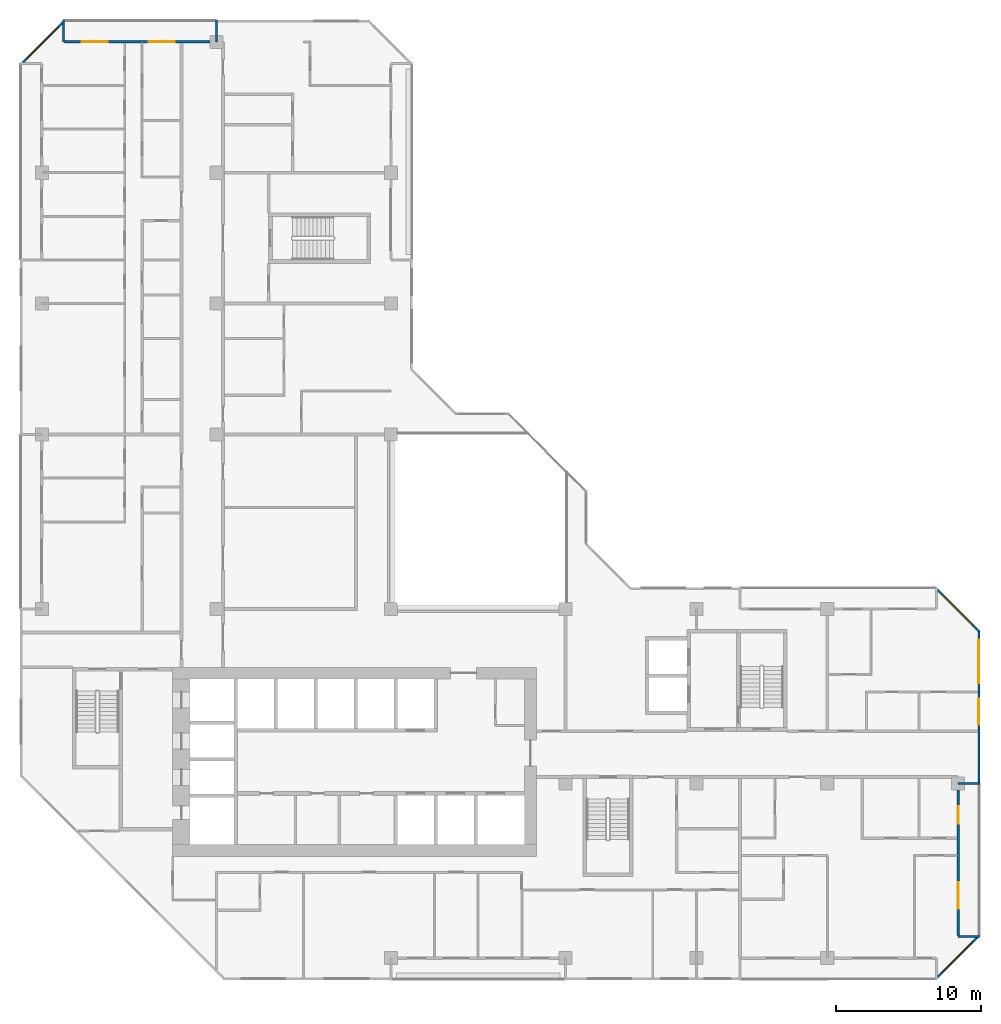
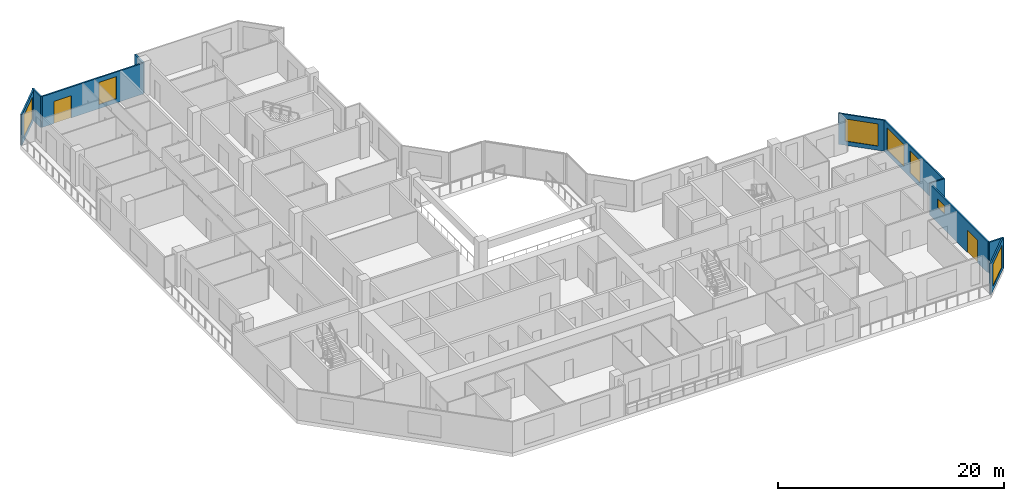
# One storey, part 12 of 15: 10 walls, 7 windows, 2 doors, 9 openings.
"""IFC4 building model written with IfcOpenShell, lengths in metres."""

from ifc_helpers import new_model, si_unit, direction, frame, frame_2d, origin, place, context, subcontext, project, spatial, rectangle, extrude, material, layer, layer_set, type_object, element, fill, save


model = new_model("IFC4")

# Units and contexts
model_context = context("Model", 3, precision=1e-05, world=origin(), true_north=direction((0.0, 1.0)))
body_context = subcontext(model_context, "Body", "Model", "MODEL_VIEW")
ifc_project = project(units=[si_unit("LENGTHUNIT", "METRE"), si_unit("AREAUNIT", "SQUARE_METRE"), si_unit("VOLUMEUNIT", "CUBIC_METRE"), si_unit("PLANEANGLEUNIT", "RADIAN"), si_unit("MASSUNIT", "GRAM", prefix="KILO")], contexts=[model_context])

# Site, building, storey
site_placement = place(None, origin())
site = spatial("IfcSite", under=ifc_project, at=site_placement, CompositionType="ELEMENT")
building_placement = place(site_placement, origin())
building = spatial("IfcBuilding", under=site, at=building_placement, Name="Chenar Terraces", CompositionType="ELEMENT")
storey_placement = place(building_placement, frame((0.0, 0.0, 191.14990234375)))
storey = spatial("IfcBuildingStorey", under=building, at=storey_placement, Name="L44", CompositionType="ELEMENT", Elevation=191.14990234375)

# Wall, openings, windows
ifc_material_1 = material(Name="Aluminium framed glazing", Category="aluminium")
ifc_layer_1 = layer(ifc_material_1, 0.14990234375)
ifc_layer_set_1 = layer_set([ifc_layer_1], Name="Aluminium framed glazing")
wall_type_1 = type_object("IfcWallType", Name="Glazed flush facade wall 150", PredefinedType="SOLIDWALL", material=ifc_layer_set_1)
wall_1_placement = place(storey_placement, frame((64.425048828125, 12.074951171875, 0.0), z_axis=(0.0, 0.0, 1.0), x_axis=(0.0, 1.0, 0.0)))
wall_1 = element("IfcWall", 1, at=wall_1_placement, inside=storey, type_object=wall_type_1, Name="Glazed flush facade wall", PredefinedType="SOLIDWALL", context=body_context, shape_type="SweptSolid", body=[
    extrude(rectangle(XDim=10.425048828125, YDim=0.14990234375, at=frame_2d((5.21240234375, 0.0))), origin(), (0.0, 0.0, 1.0), 3.35009765625),
])
opening_1_placement = place(wall_1_placement, frame((3.97509765625, 0.0, 0.449951171875)))
opening_1 = element("IfcOpeningElement", 2, at=opening_1_placement, cuts=wall_1, Name="Opening W180x240", PredefinedType="OPENING", context=body_context, shape_type="SweptSolid", body=[
    extrude(rectangle(XDim=1.800048828125, YDim=2.39990234375, at=frame_2d((0.89990234375, 1.199951171875))), frame((0.0, 0.0849609375, 0.0), z_axis=(0.0, -1.0, 0.0), x_axis=(1.0, 0.0, 0.0)), (0.0, 0.0, 1.0), 0.169921875),
])
opening_2_placement = place(wall_1_placement, frame((6.824951171875, 0.0, 0.449951171875)))
opening_2 = element("IfcOpeningElement", 3, at=opening_2_placement, cuts=wall_1, Name="Opening W300x240", PredefinedType="OPENING", context=body_context, shape_type="SweptSolid", body=[
    extrude(rectangle(XDim=3.0, YDim=2.39990234375, at=frame_2d((1.5, 1.199951171875))), frame((0.0, 0.0849609375, 0.0), z_axis=(0.0, -1.0, 0.0), x_axis=(1.0, 0.0, 0.0)), (0.0, 0.0, 1.0), 0.169921875),
])
ifc_material_2 = material(Name="Low emissivity double glazing, aluminium frame", Category="aluminium")
window_type_1 = type_object("IfcWindowType", Name="Fixed light 1800 x 2400", PartitioningType="SINGLE_PANEL", PredefinedType="WINDOW", material=ifc_material_2)
window_1_placement = place(opening_1_placement, origin())
window_1 = element("IfcWindow", 4, at=window_1_placement, inside=storey, type_object=window_type_1, Name="Window", OverallHeight=2.39990234375, OverallWidth=1.800048828125, PartitioningType="SINGLE_PANEL", PredefinedType="WINDOW", context=body_context, shape_type="SweptSolid", body=[
    extrude(rectangle(XDim=1.800048828125, YDim=2.39990234375, at=frame_2d((0.89990234375, 1.199951171875))), frame((0.0, 0.030029296875, 0.0), z_axis=(0.0, -1.0, 0.0), x_axis=(1.0, 0.0, 0.0)), (0.0, 0.0, 1.0), 0.06005859375),
])
fill(opening_1, window_1)
ifc_material_3 = material(Name="Low emissivity double glazing, aluminium frame", Category="aluminium")
window_type_2 = type_object("IfcWindowType", Name="Fixed light 3000 x 2400", PartitioningType="SINGLE_PANEL", PredefinedType="WINDOW", material=ifc_material_3)
window_2_placement = place(opening_2_placement, origin())
window_2 = element("IfcWindow", 5, at=window_2_placement, inside=storey, type_object=window_type_2, Name="Window", OverallHeight=2.39990234375, OverallWidth=3.0, PartitioningType="SINGLE_PANEL", PredefinedType="WINDOW", context=body_context, shape_type="SweptSolid", body=[
    extrude(rectangle(XDim=3.0, YDim=2.39990234375, at=frame_2d((1.5, 1.199951171875))), frame((0.0, 0.030029296875, 0.0), z_axis=(0.0, -1.0, 0.0), x_axis=(1.0, 0.0, 0.0)), (0.0, 0.0, 1.0), 0.06005859375),
])
fill(opening_2, window_2)

# Wall, openings, window, door
ifc_material_4 = material(Name="Aluminium framed glazing", Category="aluminium")
ifc_layer_2 = layer(ifc_material_4, 0.14990234375)
ifc_layer_set_2 = layer_set([ifc_layer_2], Name="Aluminium framed glazing")
wall_type_2 = type_object("IfcWallType", Name="Glazed loggia back wall 150", PredefinedType="SOLIDWALL", material=ifc_layer_set_2)
wall_2_placement = place(storey_placement, frame((11.925048828125, 63.0, 0.0), z_axis=(0.0, 0.0, 1.0), x_axis=(-1.0, 0.0, 0.0)))
wall_2 = element("IfcWall", 6, at=wall_2_placement, inside=storey, type_object=wall_type_2, Name="Glazed loggia back wall", PredefinedType="SOLIDWALL", context=body_context, shape_type="SweptSolid", body=[
    extrude(rectangle(XDim=10.35009765625, YDim=0.14990234375, at=frame_2d((5.175048828125, 0.0))), origin(), (0.0, 0.0, 1.0), 3.35009765625),
])
opening_3_placement = place(wall_2_placement, frame((2.77490234375, 0.0, 0.449951171875)))
opening_3 = element("IfcOpeningElement", 7, at=opening_3_placement, cuts=wall_2, Name="Opening W180x240", PredefinedType="OPENING", context=body_context, shape_type="SweptSolid", body=[
    extrude(rectangle(XDim=1.800048828125, YDim=2.39990234375, at=frame_2d((0.89990234375, 1.199951171875))), frame((0.0, 0.0849609375, 0.0), z_axis=(0.0, -1.0, 0.0), x_axis=(1.0, 0.0, 0.0)), (0.0, 0.0, 1.0), 0.169921875),
])
opening_4_placement = place(wall_2_placement, frame((7.387451171875, 0.0, 0.0)))
opening_4 = element("IfcOpeningElement", 8, at=opening_4_placement, cuts=wall_2, Name="Opening DL44-G3", PredefinedType="OPENING", context=body_context, shape_type="SweptSolid", body=[
    extrude(rectangle(XDim=1.800048828125, YDim=2.39990234375, at=frame_2d((0.89990234375, 1.199951171875))), frame((0.0, 0.0849609375, 0.0), z_axis=(0.0, -1.0, 0.0), x_axis=(1.0, 0.0, 0.0)), (0.0, 0.0, 1.0), 0.169921875),
])
window_3_placement = place(opening_3_placement, origin())
window_3 = element("IfcWindow", 9, at=window_3_placement, inside=storey, type_object=window_type_1, Name="Window", OverallHeight=2.39990234375, OverallWidth=1.800048828125, PartitioningType="SINGLE_PANEL", PredefinedType="WINDOW", context=body_context, shape_type="SweptSolid", body=[
    extrude(rectangle(XDim=1.800048828125, YDim=2.39990234375, at=frame_2d((0.89990234375, 1.199951171875))), frame((0.0, 0.030029296875, 0.0), z_axis=(0.0, -1.0, 0.0), x_axis=(1.0, 0.0, 0.0)), (0.0, 0.0, 1.0), 0.06005859375),
])
fill(opening_3, window_3)
ifc_material_5 = material(Name="Low emissivity double glazing, aluminium frame", Category="aluminium")
door_type = type_object("IfcDoorType", Name="Loggia glazed double door 1800 x 2400", OperationType="DOUBLE_DOOR_SINGLE_SWING", PredefinedType="DOOR", material=ifc_material_5)
door_1_placement = place(opening_4_placement, frame((1.800048828125, 0.0, 0.0), z_axis=(0.0, 0.0, 1.0), x_axis=(-1.0, 0.0, 0.0)))
door_1 = element("IfcDoor", 10, at=door_1_placement, inside=storey, type_object=door_type, Name="Loggia glazed door", OperationType="DOUBLE_DOOR_SINGLE_SWING", OverallHeight=2.39990234375, OverallWidth=1.800048828125, PredefinedType="DOOR", context=body_context, shape_type="SweptSolid", body=[
    extrude(rectangle(XDim=1.800048828125, YDim=2.39990234375, at=frame_2d((0.89990234375, 1.199951171875))), frame((0.0, 0.02490234375, 0.0), z_axis=(0.0, -1.0, 0.0), x_axis=(1.0, 0.0, 0.0)), (0.0, 0.0, 1.0), 0.050048828125),
])
fill(opening_4, door_1)

wall_3_placement = place(storey_placement, frame((63.0, 1.574951171875, 0.0), z_axis=(0.0, 0.0, 1.0), x_axis=(0.0, 1.0, 0.0)))
wall_3 = element("IfcWall", 11, at=wall_3_placement, inside=storey, type_object=wall_type_2, Name="Glazed loggia back wall", PredefinedType="SOLIDWALL", context=body_context, shape_type="SweptSolid", body=[
    extrude(rectangle(XDim=10.35009765625, YDim=0.14990234375, at=frame_2d((5.175048828125, 0.0))), origin(), (0.0, 0.0, 1.0), 3.35009765625),
])
opening_5_placement = place(wall_3_placement, frame((1.83740234375, 0.0, 0.0)))
opening_5 = element("IfcOpeningElement", 12, at=opening_5_placement, cuts=wall_3, Name="Opening DL44-G8", PredefinedType="OPENING", context=body_context, shape_type="SweptSolid", body=[
    extrude(rectangle(XDim=1.800048828125, YDim=2.39990234375, at=frame_2d((0.89990234375, 1.199951171875))), frame((0.0, 0.0849609375, 0.0), z_axis=(0.0, -1.0, 0.0), x_axis=(1.0, 0.0, 0.0)), (0.0, 0.0, 1.0), 0.169921875),
])
opening_6_placement = place(wall_3_placement, frame((7.675048828125, 0.0, 1.699951171875)))
opening_6 = element("IfcOpeningElement", 13, at=opening_6_placement, cuts=wall_3, Name="Opening W120x90", PredefinedType="OPENING", context=body_context, shape_type="SweptSolid", body=[
    extrude(rectangle(XDim=1.199951171875, YDim=0.89990234375, at=frame_2d((0.60009765625, 0.449951171875))), frame((0.0, 0.0849609375, 0.0), z_axis=(0.0, -1.0, 0.0), x_axis=(1.0, 0.0, 0.0)), (0.0, 0.0, 1.0), 0.169921875),
])
ifc_material_6 = material(Name="Low emissivity double glazing, aluminium frame", Category="aluminium")
window_type_3 = type_object("IfcWindowType", Name="Fixed light 1200 x 900", PartitioningType="SINGLE_PANEL", PredefinedType="WINDOW", material=ifc_material_6)
window_4_placement = place(opening_6_placement, origin())
window_4 = element("IfcWindow", 14, at=window_4_placement, inside=storey, type_object=window_type_3, Name="Window", OverallHeight=0.89990234375, OverallWidth=1.199951171875, PartitioningType="SINGLE_PANEL", PredefinedType="WINDOW", context=body_context, shape_type="SweptSolid", body=[
    extrude(rectangle(XDim=1.199951171875, YDim=0.89990234375, at=frame_2d((0.60009765625, 0.449951171875))), frame((0.0, 0.030029296875, 0.0), z_axis=(0.0, -1.0, 0.0), x_axis=(1.0, 0.0, 0.0)), (0.0, 0.0, 1.0), 0.06005859375),
])
fill(opening_6, window_4)
door_2_placement = place(opening_5_placement, frame((1.800048828125, 0.0, 0.0), z_axis=(0.0, 0.0, 1.0), x_axis=(-1.0, 0.0, 0.0)))
door_2 = element("IfcDoor", 15, at=door_2_placement, inside=storey, type_object=door_type, Name="Loggia glazed door", OperationType="DOUBLE_DOOR_SINGLE_SWING", OverallHeight=2.39990234375, OverallWidth=1.800048828125, PredefinedType="DOOR", context=body_context, shape_type="SweptSolid", body=[
    extrude(rectangle(XDim=1.800048828125, YDim=2.39990234375, at=frame_2d((0.89990234375, 1.199951171875))), frame((0.0, 0.02490234375, 0.0), z_axis=(0.0, -1.0, 0.0), x_axis=(1.0, 0.0, 0.0)), (0.0, 0.0, 1.0), 0.050048828125),
])
fill(opening_5, door_2)

# Walls
ifc_material_7 = material(Name="Terracotta cladding on insulated backing", Category="masonry")
ifc_layer_3 = layer(ifc_material_7, 0.14990234375)
ifc_layer_set_3 = layer_set([ifc_layer_3], Name="Terracotta cladding on insulated backing")
wall_type_3 = type_object("IfcWallType", Name="Loggia return wall 150", PredefinedType="SOLIDWALL", material=ifc_layer_set_3)
for number, where, z_axis, x_axis, name in (
    (16, (12.0, 64.5, 0.0), (0.0, 0.0, 1.0), (0.0, -1.0, 0.0), "Loggia return wall"),
    (17, (1.5, 64.5, 0.0), (0.0, 0.0, 1.0), (0.0, -1.0, 0.0), "Loggia return wall"),
    (18, (64.5, 1.5, 0.0), (0.0, 0.0, 1.0), (-1.0, 0.0, 0.0), "Loggia return wall"),
    (19, (64.5, 12.0, 0.0), (0.0, 0.0, 1.0), (-1.0, 0.0, 0.0), "Loggia return wall"),
):
    element("IfcWall", number, at=place(storey_placement, frame(where, z_axis=z_axis, x_axis=x_axis)), inside=storey, type_object=wall_type_3, Name=name, PredefinedType="SOLIDWALL", context=body_context, shape_type="SweptSolid", body=[
        extrude(rectangle(XDim=1.5, YDim=0.14990234375, at=frame_2d((0.75, 0.0))), origin(), (0.0, 0.0, 1.0), 3.35009765625),
    ])

# Wall, opening, window
ifc_material_8 = material(Name="Terracotta cladding on insulated backing", Category="masonry")
ifc_layer_4 = layer(ifc_material_8, 0.14990234375)
ifc_layer_set_4 = layer_set([ifc_layer_4], Name="Terracotta cladding on insulated backing")
wall_type_4 = type_object("IfcWallType", Name="Terracotta rainscreen wall 150", PredefinedType="SOLIDWALL", material=ifc_layer_set_4)
wall_4_placement = place(storey_placement, frame((1.552978515625, 64.447021484375, 0.0), z_axis=(0.0, 0.0, 1.0), x_axis=(-0.707106781187, -0.707106781187, 0.0)))
wall_4 = element("IfcWall", 20, at=wall_4_placement, inside=storey, type_object=wall_type_4, Name="Terracotta rainscreen wall", PredefinedType="SOLIDWALL", context=body_context, shape_type="SweptSolid", body=[
    extrude(rectangle(XDim=4.24267578125, YDim=0.14990234375, at=frame_2d((2.121337890625, 0.0))), origin(), (0.0, 0.0, 1.0), 3.35009765625),
])
opening_7_placement = place(wall_4_placement, frame((0.621337890625, 0.0, 0.449951171875)))
opening_7 = element("IfcOpeningElement", 21, at=opening_7_placement, cuts=wall_4, Name="Opening W300x240", PredefinedType="OPENING", context=body_context, shape_type="SweptSolid", body=[
    extrude(rectangle(XDim=3.0, YDim=2.39990234375, at=frame_2d((1.5, 1.199951171875))), frame((0.0, 0.0849609375, 0.0), z_axis=(0.0, -1.0, 0.0), x_axis=(1.0, 0.0, 0.0)), (0.0, 0.0, 1.0), 0.169921875),
])
window_5_placement = place(opening_7_placement, origin())
window_5 = element("IfcWindow", 22, at=window_5_placement, inside=storey, type_object=window_type_2, Name="Window", OverallHeight=2.39990234375, OverallWidth=3.0, PartitioningType="SINGLE_PANEL", PredefinedType="WINDOW", context=body_context, shape_type="SweptSolid", body=[
    extrude(rectangle(XDim=3.0, YDim=2.39990234375, at=frame_2d((1.5, 1.199951171875))), frame((0.0, 0.030029296875, 0.0), z_axis=(0.0, -1.0, 0.0), x_axis=(1.0, 0.0, 0.0)), (0.0, 0.0, 1.0), 0.06005859375),
])
fill(opening_7, window_5)

wall_5_placement = place(storey_placement, frame((61.447021484375, -1.447021484375, 0.0), z_axis=(0.0, 0.0, 1.0), x_axis=(0.707106781187, 0.707106781187, 0.0)))
wall_5 = element("IfcWall", 23, at=wall_5_placement, inside=storey, type_object=wall_type_4, Name="Terracotta rainscreen wall", PredefinedType="SOLIDWALL", context=body_context, shape_type="SweptSolid", body=[
    extrude(rectangle(XDim=4.24267578125, YDim=0.14990234375, at=frame_2d((2.121337890625, 0.0))), origin(), (0.0, 0.0, 1.0), 3.35009765625),
])
opening_8_placement = place(wall_5_placement, frame((0.621337890625, 0.0, 0.449951171875)))
opening_8 = element("IfcOpeningElement", 24, at=opening_8_placement, cuts=wall_5, Name="Opening W300x240", PredefinedType="OPENING", context=body_context, shape_type="SweptSolid", body=[
    extrude(rectangle(XDim=3.0, YDim=2.39990234375, at=frame_2d((1.5, 1.199951171875))), frame((0.0, 0.0849609375, 0.0), z_axis=(0.0, -1.0, 0.0), x_axis=(1.0, 0.0, 0.0)), (0.0, 0.0, 1.0), 0.169921875),
])
window_6_placement = place(opening_8_placement, origin())
window_6 = element("IfcWindow", 25, at=window_6_placement, inside=storey, type_object=window_type_2, Name="Window", OverallHeight=2.39990234375, OverallWidth=3.0, PartitioningType="SINGLE_PANEL", PredefinedType="WINDOW", context=body_context, shape_type="SweptSolid", body=[
    extrude(rectangle(XDim=3.0, YDim=2.39990234375, at=frame_2d((1.5, 1.199951171875))), frame((0.0, 0.030029296875, 0.0), z_axis=(0.0, -1.0, 0.0), x_axis=(1.0, 0.0, 0.0)), (0.0, 0.0, 1.0), 0.06005859375),
])
fill(opening_8, window_6)

wall_6_placement = place(storey_placement, frame((64.447021484375, 22.447021484375, 0.0), z_axis=(0.0, 0.0, 1.0), x_axis=(-0.707106781187, 0.707106781187, 0.0)))
wall_6 = element("IfcWall", 26, at=wall_6_placement, inside=storey, type_object=wall_type_4, Name="Terracotta rainscreen wall", PredefinedType="SOLIDWALL", context=body_context, shape_type="SweptSolid", body=[
    extrude(rectangle(XDim=4.24267578125, YDim=0.14990234375, at=frame_2d((2.121337890625, 0.0))), origin(), (0.0, 0.0, 1.0), 3.35009765625),
])
opening_9_placement = place(wall_6_placement, frame((0.621337890625, 0.0, 0.449951171875)))
opening_9 = element("IfcOpeningElement", 27, at=opening_9_placement, cuts=wall_6, Name="Opening W300x240", PredefinedType="OPENING", context=body_context, shape_type="SweptSolid", body=[
    extrude(rectangle(XDim=3.0, YDim=2.39990234375, at=frame_2d((1.5, 1.199951171875))), frame((0.0, 0.0849609375, 0.0), z_axis=(0.0, -1.0, 0.0), x_axis=(1.0, 0.0, 0.0)), (0.0, 0.0, 1.0), 0.169921875),
])
window_7_placement = place(opening_9_placement, origin())
window_7 = element("IfcWindow", 28, at=window_7_placement, inside=storey, type_object=window_type_2, Name="Window", OverallHeight=2.39990234375, OverallWidth=3.0, PartitioningType="SINGLE_PANEL", PredefinedType="WINDOW", context=body_context, shape_type="SweptSolid", body=[
    extrude(rectangle(XDim=3.0, YDim=2.39990234375, at=frame_2d((1.5, 1.199951171875))), frame((0.0, 0.030029296875, 0.0), z_axis=(0.0, -1.0, 0.0), x_axis=(1.0, 0.0, 0.0)), (0.0, 0.0, 1.0), 0.06005859375),
])
fill(opening_9, window_7)

save(model, "model.ifc")
